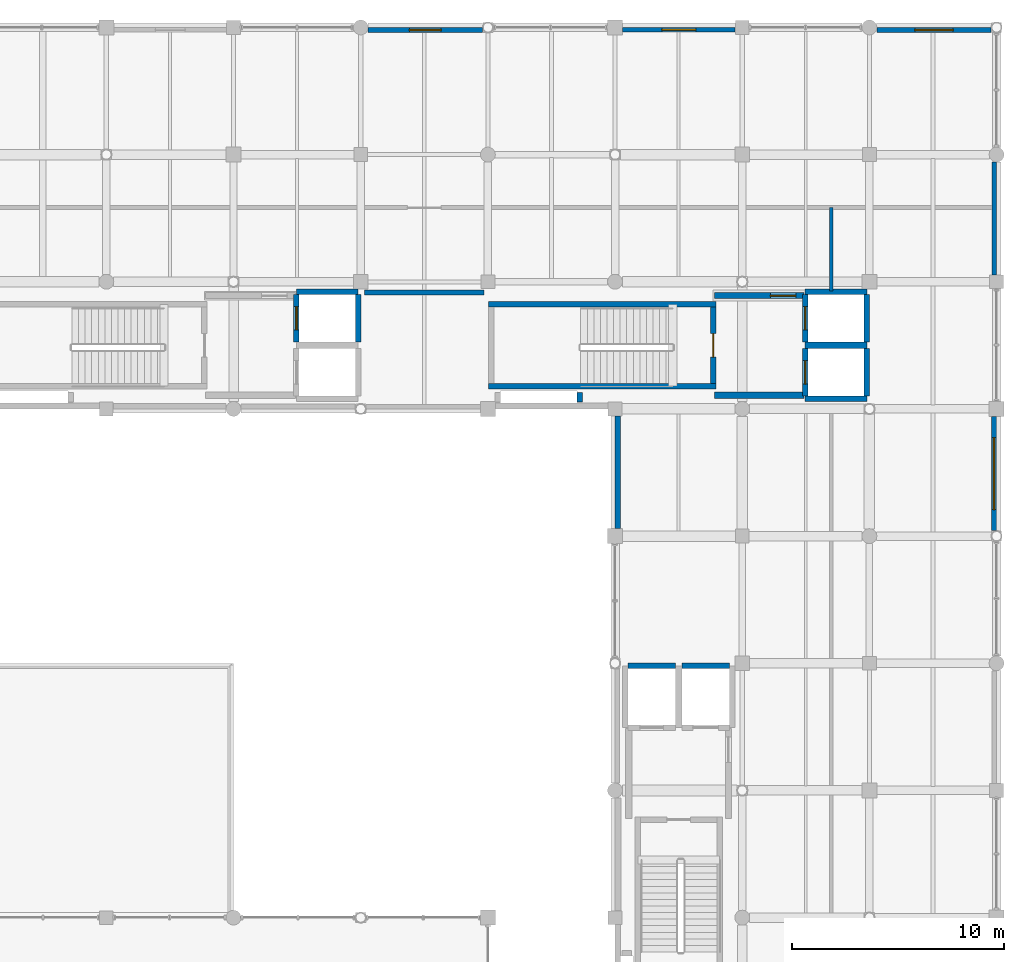
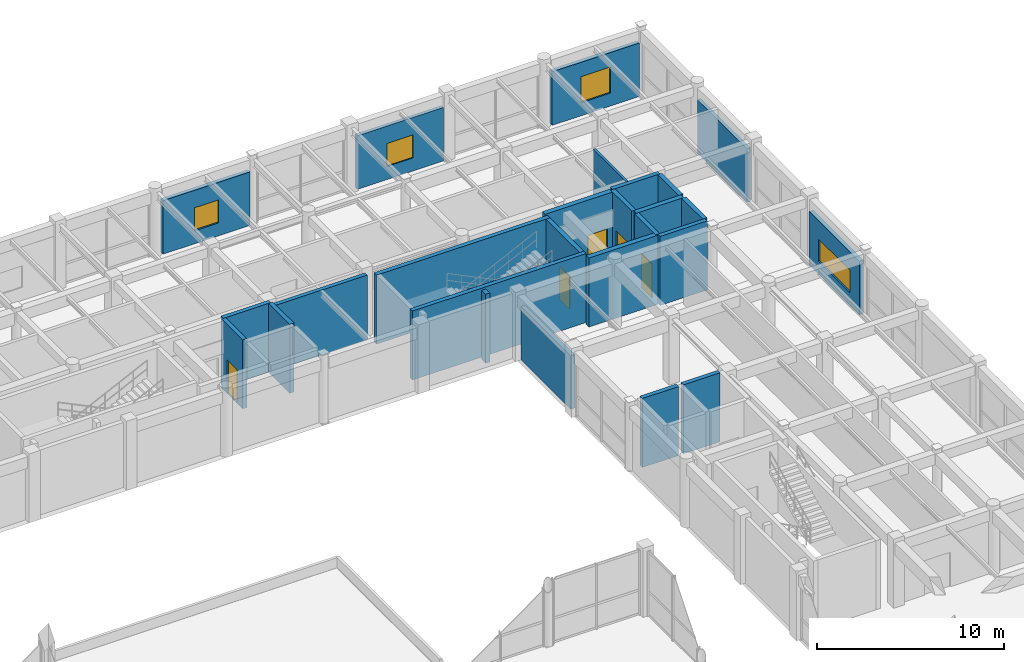
# One storey, part 96 of 116: 26 walls, 5 doors, 4 windows, 9 openings.
"""IFC4 building model written with IfcOpenShell, lengths in metres."""

import ifcopenshell
import ifcopenshell.guid

model = None  # the IFC model being written
_history = None  # IfcOwnerHistory: only IFC2X3 demands one
_inside = {}  # id of a spatial element -> (the spatial element, [elements in it])
_under = {}  # id of a project, library or spatial element -> (it, [spatial elements below it])
_declared = {}  # id of a project -> (the project, [libraries it declares])
_typed = {}  # id of a type object -> (the type object, [elements of that type])
_made_of = {}  # id of a material, layer set ... -> (it, [elements and type objects made of it])


def new_model(schema):
    """Start an empty IFC model of exactly this schema.

    Asked for "IFC4X3", IfcOpenShell would pick the latest addendum, in which some entities
    have other attributes; the version numbers below select the first issue.
    IFC2X3 requires an IfcOwnerHistory on every rooted entity: one is made here for all.
    """
    global model, _history
    if schema == "IFC4X3":
        model = ifcopenshell.file(schema_version=(4, 3, 0, 0))
    else:
        model = ifcopenshell.file(schema=schema)
    _inside.clear()
    _under.clear()
    _declared.clear()
    _typed.clear()
    _made_of.clear()
    _history = None
    if model.schema == "IFC2X3":
        org = make("IfcOrganization", Name="unknown")
        user = make(
            "IfcPersonAndOrganization",
            ThePerson=make("IfcPerson", FamilyName="unknown"),
            TheOrganization=org,
        )
        app = make(
            "IfcApplication",
            ApplicationDeveloper=org,
            Version="unknown",
            ApplicationFullName="unknown",
            ApplicationIdentifier="unknown",
        )
        _history = make(
            "IfcOwnerHistory",
            OwningUser=user,
            OwningApplication=app,
            ChangeAction="ADDED",
            CreationDate=0,
        )
    return model


def make(cls, **values):
    """One entity of the class cls with the attributes given. An attribute that is None is left unset."""
    return model.create_entity(
        cls, **{name: value for name, value in values.items() if value is not None}
    )


def rooted(cls, **values):
    """An entity with a GlobalId (a new one), such as an element, a storey or a relation."""
    return make(cls, GlobalId=ifcopenshell.guid.new(), OwnerHistory=_history, **values)


def si_unit(unit_type, name, prefix=None):
    """IfcSIUnit, for example si_unit("LENGTHUNIT", "METRE", prefix="MILLI")."""
    return make("IfcSIUnit", UnitType=unit_type, Prefix=prefix, Name=name)


def assignment(units):
    """IfcUnitAssignment: the units of a project."""
    return None if units is None else make("IfcUnitAssignment", Units=units)


def point(xyz):
    """IfcCartesianPoint."""
    return None if xyz is None else make("IfcCartesianPoint", Coordinates=xyz)


def direction(xyz):
    """IfcDirection."""
    return None if xyz is None else make("IfcDirection", DirectionRatios=xyz)


def frame(location, z_axis=None, x_axis=None):
    """IfcAxis2Placement3D, a coordinate frame: its origin and axes. An axis left out is left unset."""
    return make(
        "IfcAxis2Placement3D",
        Location=point(location),
        Axis=direction(z_axis),
        RefDirection=direction(x_axis),
    )


def frame_2d(location, x_axis=None):
    """IfcAxis2Placement2D, a coordinate frame in the plane: its origin and x axis."""
    return make(
        "IfcAxis2Placement2D", Location=point(location), RefDirection=direction(x_axis)
    )


def origin():
    """The frame at (0, 0, 0) with its axes left unset."""
    return frame((0.0, 0.0, 0.0))


def place(relative_to, where):
    """IfcLocalPlacement: puts the frame where relative to a parent placement (None: the world)."""
    return make(
        "IfcLocalPlacement", PlacementRelTo=relative_to, RelativePlacement=where
    )


def context(
    kind, dimensions, precision=None, world=None, true_north=None, identifier=None
):
    """IfcGeometricRepresentationContext, for example the 3D "Model" context."""
    return make(
        "IfcGeometricRepresentationContext",
        ContextIdentifier=identifier,
        ContextType=kind,
        CoordinateSpaceDimension=dimensions,
        Precision=precision,
        WorldCoordinateSystem=world,
        TrueNorth=true_north,
    )


def subcontext(parent, identifier, kind, view, scale=None):
    """IfcGeometricRepresentationSubContext, for example "Body" below "Model"."""
    return make(
        "IfcGeometricRepresentationSubContext",
        ContextIdentifier=identifier,
        ContextType=kind,
        ParentContext=parent,
        TargetScale=scale,
        TargetView=view,
    )


def project(units=None, contexts=None):
    """IfcProject with its units and contexts."""
    return rooted(
        "IfcProject",
        Name="project",
        RepresentationContexts=contexts,
        UnitsInContext=assignment(units),
    )


def spatial(cls, under=None, at=None, **own):
    """A site, building, storey or space (cls), placed at a placement, below another one or the project."""
    s = rooted(cls, ObjectPlacement=at, **own)
    if under is not None:
        _under.setdefault(under.id(), (under, []))[1].append(s)
    return s


def profile(cls, at=None, kind="AREA", **sizes):
    """A parametric profile (cls). Its sizes go by their IFC names, for example OverallWidth=200.0."""
    return make(cls, ProfileType=kind, Position=at, **sizes)


def rectangle(**sizes):
    """IfcRectangleProfileDef."""
    return profile("IfcRectangleProfileDef", **sizes)


def extrude(swept, where, along, depth):
    """IfcExtrudedAreaSolid: the profile swept, set in the frame where, extruded along a direction by depth."""
    return make(
        "IfcExtrudedAreaSolid",
        SweptArea=swept,
        Position=where,
        ExtrudedDirection=direction(along),
        Depth=depth,
    )


def shape(context_of_items, identifier, shape_type, items):
    """IfcShapeRepresentation: the items that make up one representation, for example the "Body"."""
    return make(
        "IfcShapeRepresentation",
        ContextOfItems=context_of_items,
        RepresentationIdentifier=identifier,
        RepresentationType=shape_type,
        Items=items,
    )


def material(Name=None, Category=None):
    """IfcMaterial."""
    return make("IfcMaterial", Name=Name, Category=Category)


def layer(
    of_material, thickness, ventilated=None, Name=None, Category=None, Priority=None
):
    """IfcMaterialLayer: one layer of a wall or slab, of a material (None: an air gap)."""
    return make(
        "IfcMaterialLayer",
        Material=of_material,
        LayerThickness=thickness,
        IsVentilated=ventilated,
        Name=Name,
        Category=Category,
        Priority=Priority,
    )


def layer_set(layers, Name=None):
    """IfcMaterialLayerSet."""
    return make("IfcMaterialLayerSet", MaterialLayers=layers, LayerSetName=Name)


def made_of(thing, what):
    """Note that an element or type object is made of a material, layer set ...; save() writes the relation."""
    if what is not None:
        _made_of.setdefault(what.id(), (what, []))[1].append(thing)
    return thing


def type_object(cls, material=None, **own):
    """A type object (cls), such as IfcWallType, which elements share."""
    return made_of(rooted(cls, **own), material)


def element(
    cls,
    number,
    at=None,
    inside=None,
    cuts=None,
    type_object=None,
    material=None,
    context=None,
    identifier="Body",
    shape_type=None,
    held_by="IfcProductDefinitionShape",
    body=None,
    shapes=None,
    **own,
):
    """One element of the class cls, such as IfcWall. Its Tag is "e" and its number.

    at: its placement. inside: the storey or other place that contains it. cuts: it is an
    opening in that element (IfcRelVoidsElement). A single representation is given by context,
    identifier, shape_type and body (its items); several are given by shapes. held_by: the class
    of the entity that holds the representations. save() writes the other relations.
    """
    e = rooted(cls, Tag="e%d" % number, ObjectPlacement=at, **own)
    if body is not None:
        shapes = [shape(context, identifier, shape_type, body)]
    if shapes is not None:
        e.Representation = make(held_by, Representations=shapes)
    if inside is not None:
        _inside.setdefault(inside.id(), (inside, []))[1].append(e)
    if cuts is not None:
        rooted(
            "IfcRelVoidsElement", RelatingBuildingElement=cuts, RelatedOpeningElement=e
        )
    if type_object is not None:
        _typed.setdefault(type_object.id(), (type_object, []))[1].append(e)
    return made_of(e, material)


def fill(opening, filler):
    """IfcRelFillsElement: the door or window that sits in an opening."""
    return rooted(
        "IfcRelFillsElement",
        RelatingOpeningElement=opening,
        RelatedBuildingElement=filler,
    )


def aggregate(whole, parts):
    """IfcRelAggregates: a whole, such as a stair, and the parts it consists of."""
    return rooted("IfcRelAggregates", RelatingObject=whole, RelatedObjects=parts)


def save(model, path):
    """Write the relations noted so far, then the file.

    IfcRelAggregates (storeys below a building ...), IfcRelContainedInSpatialStructure (elements
    in a storey), IfcRelDefinesByType, IfcRelAssociatesMaterial and IfcRelDeclares: one each for
    every whole, place, type object, material and project.
    """
    for whole, parts in _under.values():
        aggregate(whole, parts)
    for where, things in _inside.values():
        rooted(
            "IfcRelContainedInSpatialStructure",
            RelatedElements=things,
            RelatingStructure=where,
        )
    for kind, things in _typed.values():
        rooted("IfcRelDefinesByType", RelatedObjects=things, RelatingType=kind)
    for what, things in _made_of.values():
        rooted("IfcRelAssociatesMaterial", RelatedObjects=things, RelatingMaterial=what)
    for by, libraries in _declared.values():
        rooted("IfcRelDeclares", RelatingContext=by, RelatedDefinitions=libraries)
    model.write(path)


model = new_model("IFC4")

# Units and contexts
model_context = context("Model", 3, precision=1e-05, world=origin(), true_north=direction((0.0, 1.0)))
body_context = subcontext(model_context, "Body", "Model", "MODEL_VIEW")
ifc_project = project(units=[si_unit("LENGTHUNIT", "METRE"), si_unit("AREAUNIT", "SQUARE_METRE"), si_unit("VOLUMEUNIT", "CUBIC_METRE"), si_unit("PLANEANGLEUNIT", "RADIAN"), si_unit("MASSUNIT", "GRAM", prefix="KILO"), si_unit("THERMODYNAMICTEMPERATUREUNIT", "KELVIN"), si_unit("POWERUNIT", "WATT")], contexts=[model_context])

# Site, building, storey
site_placement = place(None, origin())
site = spatial("IfcSite", under=ifc_project, at=site_placement, CompositionType="ELEMENT")
building_placement = place(site_placement, origin())
building = spatial("IfcBuilding", under=site, at=building_placement, Name="Phaisarnlok Congress Hotel", CompositionType="ELEMENT")
storey_placement = place(building_placement, frame((0.0, 0.0, 10.5)))
storey = spatial("IfcBuildingStorey", under=building, at=storey_placement, Name="L02", CompositionType="ELEMENT", Elevation=10.5)

# Wall
ifc_material_1 = material(Name="Concrete C40/50", Category="concrete")
ifc_layer_1 = layer(ifc_material_1, 0.2099609375, Name="Concrete C40/50")
ifc_layer_set_1 = layer_set([ifc_layer_1], Name="Concrete C40/50")
wall_type_1 = type_object("IfcWallType", Name="WL-EXT-210", PredefinedType="SOLIDWALL", material=ifc_layer_set_1)
wall_1_placement = place(storey_placement, frame((179.89501953125, 114.330078125, 0.0), z_axis=(0.0, 0.0, 1.0), x_axis=(0.0, 1.0, 0.0)))
element("IfcWall", 1, at=wall_1_placement, inside=storey, type_object=wall_type_1, Name="Exterior wall EW-07 (L02)", PredefinedType="SOLIDWALL", context=body_context, shape_type="SweptSolid", body=[
    extrude(rectangle(XDim=5.31494140625, YDim=0.2099609375, at=frame_2d((2.657470703125, 0.0))), origin(), (0.0, 0.0, 1.0), 3.489990234375),
])

# Wall, opening, window
wall_2_placement = place(storey_placement, frame((167.669921875, 125.89501953125, 0.0), z_axis=(0.0, 0.0, 1.0), x_axis=(-1.0, 0.0, 0.0)))
wall_2 = element("IfcWall", 2, at=wall_2_placement, inside=storey, type_object=wall_type_1, Name="Exterior wall EW-07 (L02)", PredefinedType="SOLIDWALL", context=body_context, shape_type="SweptSolid", body=[
    extrude(rectangle(XDim=5.31494140625, YDim=0.2099609375, at=frame_2d((2.657470703125, 0.0))), origin(), (0.0, 0.0, 1.0), 3.489990234375),
])
opening_1_placement = place(wall_2_placement, frame((1.85693359375, 0.0, 0.85009765625)))
opening_1 = element("IfcOpeningElement", 3, at=opening_1_placement, cuts=wall_2, Name="Opening W-11", PredefinedType="OPENING", context=body_context, shape_type="SweptSolid", body=[
    extrude(rectangle(XDim=1.60009765625, YDim=1.5, at=frame_2d((0.800048828125, 0.75))), frame((0.0, 0.114990234375, 0.0), z_axis=(0.0, -1.0, 0.0), x_axis=(1.0, 0.0, 0.0)), (0.0, 0.0, 1.0), 0.22998046875),
])
ifc_material_2 = material(Name="Thermally Broken Aluminium & Low-E Double Glazing", Category="aluminium")
window_type_1 = type_object("IfcWindowType", Name="WIN-POD-1600", PartitioningType="SINGLE_PANEL", PredefinedType="WINDOW", material=ifc_material_2)
window_1_placement = place(opening_1_placement, origin())
window_1 = element("IfcWindow", 4, at=window_1_placement, inside=storey, type_object=window_type_1, Name="Podium window W-11 (L02)", OverallHeight=1.5, OverallWidth=1.60009765625, PartitioningType="SINGLE_PANEL", PredefinedType="WINDOW", context=body_context, shape_type="SweptSolid", body=[
    extrude(rectangle(XDim=1.60009765625, YDim=1.5, at=frame_2d((0.800048828125, 0.75))), frame((0.0, 0.030029296875, 0.0), z_axis=(0.0, -1.0, 0.0), x_axis=(1.0, 0.0, 0.0)), (0.0, 0.0, 1.0), 0.06005859375),
])
fill(opening_1, window_1)

# Wall
ifc_layer_2 = layer(ifc_material_1, 0.25, Name="Concrete C40/50")
ifc_layer_set_2 = layer_set([ifc_layer_2], Name="Concrete C40/50")
wall_type_2 = type_object("IfcWallType", Name="WL-EXT-250", PredefinedType="SOLIDWALL", material=ifc_layer_set_2)
wall_3_placement = place(storey_placement, frame((162.125, 107.669921875, 0.0), z_axis=(0.0, 0.0, 1.0), x_axis=(0.0, -1.0, 0.0)))
element("IfcWall", 5, at=wall_3_placement, inside=storey, type_object=wall_type_2, Name="Exterior wall EW-05 (L02)", PredefinedType="SOLIDWALL", context=body_context, shape_type="SweptSolid", body=[
    extrude(rectangle(XDim=5.31494140625, YDim=0.25, at=frame_2d((2.657470703125, 0.0))), origin(), (0.0, 0.0, 1.0), 3.489990234375),
])

# Wall, opening, window
wall_4_placement = place(storey_placement, frame((179.875, 102.259033203125, 0.0), z_axis=(0.0, 0.0, 1.0), x_axis=(0.0, 1.0, 0.0)))
wall_4 = element("IfcWall", 6, at=wall_4_placement, inside=storey, type_object=wall_type_2, Name="Exterior wall EW-05 (L02)", PredefinedType="SOLIDWALL", context=body_context, shape_type="SweptSolid", body=[
    extrude(rectangle(XDim=5.385986328125, YDim=0.25, at=frame_2d((2.69287109375, 0.0))), origin(), (0.0, 0.0, 1.0), 3.489990234375),
])
opening_2_placement = place(wall_4_placement, frame((0.992919921875, 0.0, 0.85009765625)))
opening_2 = element("IfcOpeningElement", 7, at=opening_2_placement, cuts=wall_4, Name="Opening W-18", PredefinedType="OPENING", context=body_context, shape_type="SweptSolid", body=[
    extrude(rectangle(XDim=3.39990234375, YDim=1.449951171875, at=frame_2d((1.699951171875, 0.72509765625))), frame((0.0, 0.135009765625, 0.0), z_axis=(0.0, -1.0, 0.0), x_axis=(1.0, 0.0, 0.0)), (0.0, 0.0, 1.0), 0.27001953125),
])
window_type_2 = type_object("IfcWindowType", Name="WIN-RIB-3400", PartitioningType="SINGLE_PANEL", PredefinedType="WINDOW", material=ifc_material_2)
window_2_placement = place(opening_2_placement, origin())
window_2 = element("IfcWindow", 8, at=window_2_placement, inside=storey, type_object=window_type_2, Name="Podium window W-18 (L02)", OverallHeight=1.449951171875, OverallWidth=3.39990234375, PartitioningType="SINGLE_PANEL", PredefinedType="WINDOW", context=body_context, shape_type="SweptSolid", body=[
    extrude(rectangle(XDim=3.39990234375, YDim=1.449951171875, at=frame_2d((1.699951171875, 0.72509765625))), frame((0.0, 0.030029296875, 0.0), z_axis=(0.0, -1.0, 0.0), x_axis=(1.0, 0.0, 0.0)), (0.0, 0.0, 1.0), 0.06005859375),
])
fill(opening_2, window_2)

wall_5_placement = place(storey_placement, frame((179.740966796875, 125.875, 0.0), z_axis=(0.0, 0.0, 1.0), x_axis=(-1.0, 0.0, 0.0)))
wall_5 = element("IfcWall", 9, at=wall_5_placement, inside=storey, type_object=wall_type_2, Name="Exterior wall EW-05 (L02)", PredefinedType="SOLIDWALL", context=body_context, shape_type="SweptSolid", body=[
    extrude(rectangle(XDim=5.385986328125, YDim=0.25, at=frame_2d((2.69287109375, 0.0))), origin(), (0.0, 0.0, 1.0), 3.489990234375),
])
opening_3_placement = place(wall_5_placement, frame((1.79296875, 0.0, 0.85009765625)))
opening_3 = element("IfcOpeningElement", 10, at=opening_3_placement, cuts=wall_5, Name="Opening W-10", PredefinedType="OPENING", context=body_context, shape_type="SweptSolid", body=[
    extrude(rectangle(XDim=1.800048828125, YDim=1.699951171875, at=frame_2d((0.89990234375, 0.85009765625))), frame((0.0, 0.135009765625, 0.0), z_axis=(0.0, -1.0, 0.0), x_axis=(1.0, 0.0, 0.0)), (0.0, 0.0, 1.0), 0.27001953125),
])
window_type_3 = type_object("IfcWindowType", Name="WIN-POD-1800", PartitioningType="SINGLE_PANEL", PredefinedType="WINDOW", material=ifc_material_2)
window_3_placement = place(opening_3_placement, origin())
window_3 = element("IfcWindow", 11, at=window_3_placement, inside=storey, type_object=window_type_3, Name="Podium window W-10 (L02)", OverallHeight=1.699951171875, OverallWidth=1.800048828125, PartitioningType="SINGLE_PANEL", PredefinedType="WINDOW", context=body_context, shape_type="SweptSolid", body=[
    extrude(rectangle(XDim=1.800048828125, YDim=1.699951171875, at=frame_2d((0.89990234375, 0.85009765625))), frame((0.0, 0.030029296875, 0.0), z_axis=(0.0, -1.0, 0.0), x_axis=(1.0, 0.0, 0.0)), (0.0, 0.0, 1.0), 0.06005859375),
])
fill(opening_3, window_3)

wall_6_placement = place(storey_placement, frame((155.740966796875, 125.875, 0.0), z_axis=(0.0, 0.0, 1.0), x_axis=(-1.0, 0.0, 0.0)))
wall_6 = element("IfcWall", 12, at=wall_6_placement, inside=storey, type_object=wall_type_2, Name="Exterior wall EW-05 (L02)", PredefinedType="SOLIDWALL", context=body_context, shape_type="SweptSolid", body=[
    extrude(rectangle(XDim=5.385986328125, YDim=0.25, at=frame_2d((2.69287109375, 0.0))), origin(), (0.0, 0.0, 1.0), 3.489990234375),
])
opening_4_placement = place(wall_6_placement, frame((1.943115234375, 0.0, 0.85009765625)))
opening_4 = element("IfcOpeningElement", 13, at=opening_4_placement, cuts=wall_6, Name="Opening W-12", PredefinedType="OPENING", context=body_context, shape_type="SweptSolid", body=[
    extrude(rectangle(XDim=1.5, YDim=1.5, at=frame_2d((0.75, 0.75))), frame((0.0, 0.135009765625, 0.0), z_axis=(0.0, -1.0, 0.0), x_axis=(1.0, 0.0, 0.0)), (0.0, 0.0, 1.0), 0.27001953125),
])
window_type_4 = type_object("IfcWindowType", Name="WIN-POD-1500", PartitioningType="SINGLE_PANEL", PredefinedType="WINDOW", material=ifc_material_2)
window_4_placement = place(opening_4_placement, origin())
window_4 = element("IfcWindow", 14, at=window_4_placement, inside=storey, type_object=window_type_4, Name="Podium window W-12 (L02)", OverallHeight=1.5, OverallWidth=1.5, PartitioningType="SINGLE_PANEL", PredefinedType="WINDOW", context=body_context, shape_type="SweptSolid", body=[
    extrude(rectangle(XDim=1.5, YDim=1.5, at=frame_2d((0.75, 0.75))), frame((0.0, 0.030029296875, 0.0), z_axis=(0.0, -1.0, 0.0), x_axis=(1.0, 0.0, 0.0)), (0.0, 0.0, 1.0), 0.06005859375),
])
fill(opening_4, window_4)

# Walls
ifc_material_3 = material(Name="Acoustic Gypsum Board & Mineral Wool", Category="gypsum")
ifc_layer_3 = layer(ifc_material_3, 0.14990234375, Name="Acoustic Gypsum Board & Mineral Wool")
ifc_layer_set_3 = layer_set([ifc_layer_3], Name="Acoustic Gypsum Board & Mineral Wool")
wall_type_3 = type_object("IfcWallType", Name="WL-INT-150", PredefinedType="PARTITIONING", material=ifc_layer_set_3)
wall_7_placement = place(storey_placement, frame((172.199951171875, 113.56005859375, 0.0), z_axis=(0.0, 0.0, 1.0), x_axis=(0.0, 1.0, 0.0)))
element("IfcWall", 15, at=wall_7_placement, inside=storey, type_object=wall_type_3, Name="Interior partition wall IW-05 (L02)", PredefinedType="PARTITIONING", context=body_context, shape_type="SweptSolid", body=[
    extrude(rectangle(XDim=3.93994140625, YDim=0.14990234375, at=frame_2d((1.969970703125, 0.0))), origin(), (0.0, 0.0, 1.0), 4.239990234375),
])
ifc_layer_4 = layer(ifc_material_1, 0.239990234375, Name="Concrete C40/50")
ifc_layer_set_4 = layer_set([ifc_layer_4], Name="Concrete C40/50")
wall_type_4 = type_object("IfcWallType", Name="WL-INT-240", PredefinedType="PARTITIONING", material=ifc_layer_set_4)
wall_8_placement = place(storey_placement, frame((150.179931640625, 113.5, 0.0), z_axis=(0.0, 0.0, 1.0), x_axis=(1.0, 0.0, 0.0)))
element("IfcWall", 16, at=wall_8_placement, inside=storey, type_object=wall_type_4, Name="Interior partition wall IW-01 (L02)", PredefinedType="PARTITIONING", context=body_context, shape_type="SweptSolid", body=[
    extrude(rectangle(XDim=5.64013671875, YDim=0.239990234375, at=frame_2d((2.820068359375, 0.0))), origin(), (0.0, 0.0, 1.0), 4.239990234375),
])
ifc_material_4 = material(Name="Concrete C50/60", Category="concrete")
ifc_layer_5 = layer(ifc_material_4, 0.260009765625, Name="Concrete C50/60")
ifc_layer_set_5 = layer_set([ifc_layer_5], Name="Concrete C50/60")
wall_type_5 = type_object("IfcWallType", Name="WL-SHR-260", PredefinedType="SHEAR", material=ifc_layer_set_5)
for number, where, z_axis, x_axis, name in (
    (17, (156.0400390625, 109.070068359375, 0.0), (0.0, 0.0, 1.0), (1.0, 0.0, 0.0), "Stair shaft shear wall SW-04 (CORE-1 L02)"),
    (18, (156.0400390625, 112.929931640625, 0.0), (0.0, 0.0, 1.0), (1.0, 0.0, 0.0), "Stair shaft shear wall SW-04 (CORE-1 L02)"),
):
    element("IfcWall", number, at=place(storey_placement, frame(where, z_axis=z_axis, x_axis=x_axis)), inside=storey, type_object=wall_type_5, Name=name, PredefinedType="SHEAR", context=body_context, shape_type="SweptSolid", body=[
        extrude(rectangle(XDim=10.719970703125, YDim=0.260009765625, at=frame_2d((5.35986328125, 0.0))), origin(), (0.0, 0.0, 1.0), 4.5),
    ])

# Wall, opening, door
wall_9_placement = place(storey_placement, frame((166.6298828125, 109.199951171875, 0.0), z_axis=(0.0, 0.0, 1.0), x_axis=(0.0, 1.0, 0.0)))
wall_9 = element("IfcWall", 19, at=wall_9_placement, inside=storey, type_object=wall_type_5, Name="Stair shaft shear wall SW-04 (CORE-1 L02)", PredefinedType="SHEAR", context=body_context, shape_type="SweptSolid", body=[
    extrude(rectangle(XDim=3.60009765625, YDim=0.260009765625, at=frame_2d((1.800048828125, 0.0))), origin(), (0.0, 0.0, 1.0), 4.5),
])
opening_5_placement = place(wall_9_placement, frame((1.25, 0.0, 0.0)))
opening_5 = element("IfcOpeningElement", 20, at=opening_5_placement, cuts=wall_9, Name="Opening FD-004", PredefinedType="OPENING", context=body_context, shape_type="SweptSolid", body=[
    extrude(rectangle(XDim=1.10009765625, YDim=2.14990234375, at=frame_2d((0.550048828125, 1.074951171875))), frame((0.0, 0.14013671875, 0.0), z_axis=(0.0, -1.0, 0.0), x_axis=(1.0, 0.0, 0.0)), (0.0, 0.0, 1.0), 0.280029296875),
])
ifc_material_5 = material(Name="Fire-Rated Steel Frame & Timber Leaf", Category="steel")
door_type_1 = type_object("IfcDoorType", Name="DR-FD60-1100", OperationType="NOTDEFINED", PredefinedType="DOOR", material=ifc_material_5)
door_1_placement = place(opening_5_placement, origin())
door_1 = element("IfcDoor", 21, at=door_1_placement, inside=storey, type_object=door_type_1, Name="Stair enclosure fire door FD-004 (L02)", OperationType="SINGLE_SWING_LEFT", OverallHeight=2.14990234375, OverallWidth=1.10009765625, PredefinedType="DOOR", context=body_context, shape_type="SweptSolid", body=[
    extrude(rectangle(XDim=1.10009765625, YDim=2.14990234375, at=frame_2d((0.550048828125, 1.074951171875))), frame((0.0, 0.02490234375, 0.0), z_axis=(0.0, -1.0, 0.0), x_axis=(1.0, 0.0, 0.0)), (0.0, 0.0, 1.0), 0.050048828125),
])
fill(opening_5, door_1)

# Walls
wall_10_placement = place(storey_placement, frame((170.969970703125, 108.469970703125, 0.0), z_axis=(0.0, 0.0, 1.0), x_axis=(1.0, 0.0, 0.0)))
element("IfcWall", 22, at=wall_10_placement, inside=storey, type_object=wall_type_5, Name="Lift shaft shear wall SW-04 (LF-FF1 L02)", PredefinedType="SHEAR", context=body_context, shape_type="SweptSolid", body=[
    extrude(rectangle(XDim=2.909912109375, YDim=0.260009765625, at=frame_2d((1.455078125, 0.0))), origin(), (0.0, 0.0, 1.0), 4.5),
])
wall_11_placement = place(storey_placement, frame((173.8798828125, 108.60009765625, 0.0), z_axis=(0.0, 0.0, 1.0), x_axis=(0.0, 1.0, 0.0)))
element("IfcWall", 23, at=wall_11_placement, inside=storey, type_object=wall_type_5, Name="Lift shaft shear wall SW-04 (LF-FF1 L02)", PredefinedType="SHEAR", context=body_context, shape_type="SweptSolid", body=[
    extrude(rectangle(XDim=2.25, YDim=0.260009765625, at=frame_2d((1.125, 0.0))), origin(), (0.0, 0.0, 1.0), 4.5),
])

# Wall, opening, door
wall_12_placement = place(storey_placement, frame((170.969970703125, 108.60009765625, 0.0), z_axis=(0.0, 0.0, 1.0), x_axis=(0.0, 1.0, 0.0)))
wall_12 = element("IfcWall", 24, at=wall_12_placement, inside=storey, type_object=wall_type_5, Name="Lift shaft front wall SW-04 (LF-FF1 L02)", PredefinedType="SHEAR", context=body_context, shape_type="SweptSolid", body=[
    extrude(rectangle(XDim=2.25, YDim=0.260009765625, at=frame_2d((1.125, 0.0))), origin(), (0.0, 0.0, 1.0), 4.5),
])
opening_6_placement = place(wall_12_placement, frame((0.574951171875, 0.0, 0.0)))
opening_6 = element("IfcOpeningElement", 25, at=opening_6_placement, cuts=wall_12, Name="Opening LD-004", PredefinedType="OPENING", context=body_context, shape_type="SweptSolid", body=[
    extrude(rectangle(XDim=1.10009765625, YDim=2.199951171875, at=frame_2d((0.550048828125, 1.10009765625))), frame((0.0, 0.14013671875, 0.0), z_axis=(0.0, -1.0, 0.0), x_axis=(1.0, 0.0, 0.0)), (0.0, 0.0, 1.0), 0.280029296875),
])
ifc_material_6 = material(Name="Brushed Stainless Steel Grade 304", Category="steel")
door_type_2 = type_object("IfcDoorType", Name="DR-LD-1100", OperationType="DOUBLE_DOOR_SLIDING", PredefinedType="DOOR", material=ifc_material_6)
door_2_placement = place(opening_6_placement, origin())
door_2 = element("IfcDoor", 26, at=door_2_placement, inside=storey, type_object=door_type_2, Name="Lift landing sliding door LD-004 (LF-FF1 L02)", OperationType="DOUBLE_DOOR_SLIDING", OverallHeight=2.199951171875, OverallWidth=1.10009765625, PredefinedType="DOOR", context=body_context, shape_type="SweptSolid", body=[
    extrude(rectangle(XDim=1.10009765625, YDim=2.199951171875, at=frame_2d((0.550048828125, 1.10009765625))), frame((0.0, 0.02490234375, 0.0), z_axis=(0.0, -1.0, 0.0), x_axis=(1.0, 0.0, 0.0)), (0.0, 0.0, 1.0), 0.050048828125),
])
fill(opening_6, door_2)

# Walls
wall_13_placement = place(storey_placement, frame((170.969970703125, 113.530029296875, 0.0), z_axis=(0.0, 0.0, 1.0), x_axis=(1.0, 0.0, 0.0)))
element("IfcWall", 27, at=wall_13_placement, inside=storey, type_object=wall_type_5, Name="Lift shaft shear wall SW-04 (LF-HP1 L02)", PredefinedType="SHEAR", context=body_context, shape_type="SweptSolid", body=[
    extrude(rectangle(XDim=2.909912109375, YDim=0.260009765625, at=frame_2d((1.455078125, 0.0))), origin(), (0.0, 0.0, 1.0), 4.5),
])
wall_14_placement = place(storey_placement, frame((173.8798828125, 111.14990234375, 0.0), z_axis=(0.0, 0.0, 1.0), x_axis=(0.0, 1.0, 0.0)))
element("IfcWall", 28, at=wall_14_placement, inside=storey, type_object=wall_type_5, Name="Lift shaft shear wall SW-04 (LF-HP1 L02)", PredefinedType="SHEAR", context=body_context, shape_type="SweptSolid", body=[
    extrude(rectangle(XDim=2.25, YDim=0.260009765625, at=frame_2d((1.125, 0.0))), origin(), (0.0, 0.0, 1.0), 4.5),
])

# Wall, opening, door
wall_15_placement = place(storey_placement, frame((170.969970703125, 111.14990234375, 0.0), z_axis=(0.0, 0.0, 1.0), x_axis=(0.0, 1.0, 0.0)))
wall_15 = element("IfcWall", 29, at=wall_15_placement, inside=storey, type_object=wall_type_5, Name="Lift shaft front wall SW-04 (LF-HP1 L02)", PredefinedType="SHEAR", context=body_context, shape_type="SweptSolid", body=[
    extrude(rectangle(XDim=2.25, YDim=0.260009765625, at=frame_2d((1.125, 0.0))), origin(), (0.0, 0.0, 1.0), 4.5),
])
opening_7_placement = place(wall_15_placement, frame((0.574951171875, 0.0, 0.0)))
opening_7 = element("IfcOpeningElement", 30, at=opening_7_placement, cuts=wall_15, Name="Opening LD-019", PredefinedType="OPENING", context=body_context, shape_type="SweptSolid", body=[
    extrude(rectangle(XDim=1.10009765625, YDim=2.199951171875, at=frame_2d((0.550048828125, 1.10009765625))), frame((0.0, 0.14013671875, 0.0), z_axis=(0.0, -1.0, 0.0), x_axis=(1.0, 0.0, 0.0)), (0.0, 0.0, 1.0), 0.280029296875),
])
door_3_placement = place(opening_7_placement, origin())
door_3 = element("IfcDoor", 31, at=door_3_placement, inside=storey, type_object=door_type_2, Name="Lift landing sliding door LD-019 (LF-HP1 L02)", OperationType="DOUBLE_DOOR_SLIDING", OverallHeight=2.199951171875, OverallWidth=1.10009765625, PredefinedType="DOOR", context=body_context, shape_type="SweptSolid", body=[
    extrude(rectangle(XDim=1.10009765625, YDim=2.199951171875, at=frame_2d((0.550048828125, 1.10009765625))), frame((0.0, 0.02490234375, 0.0), z_axis=(0.0, -1.0, 0.0), x_axis=(1.0, 0.0, 0.0)), (0.0, 0.0, 1.0), 0.050048828125),
])
fill(opening_7, door_3)

# Walls
wall_16_placement = place(storey_placement, frame((160.330078125, 108.330078125, 0.0), z_axis=(0.0, 0.0, 1.0), x_axis=(0.0, 1.0, 0.0)))
element("IfcWall", 32, at=wall_16_placement, inside=storey, type_object=wall_type_5, Name="Service riser shaft wall SW-04 (CORE-1 L02)", PredefinedType="SHEAR", context=body_context, shape_type="SweptSolid", body=[
    extrude(rectangle(XDim=0.43994140625, YDim=0.260009765625, at=frame_2d((0.219970703125, 0.0))), origin(), (0.0, 0.0, 1.0), 4.5),
])
wall_17_placement = place(storey_placement, frame((146.969970703125, 113.530029296875, 0.0), z_axis=(0.0, 0.0, 1.0), x_axis=(1.0, 0.0, 0.0)))
element("IfcWall", 33, at=wall_17_placement, inside=storey, type_object=wall_type_5, Name="Lift shaft shear wall SW-04 (LF-HP2 L02)", PredefinedType="SHEAR", context=body_context, shape_type="SweptSolid", body=[
    extrude(rectangle(XDim=2.909912109375, YDim=0.260009765625, at=frame_2d((1.455078125, 0.0))), origin(), (0.0, 0.0, 1.0), 4.5),
])
wall_18_placement = place(storey_placement, frame((149.8798828125, 111.14990234375, 0.0), z_axis=(0.0, 0.0, 1.0), x_axis=(0.0, 1.0, 0.0)))
element("IfcWall", 34, at=wall_18_placement, inside=storey, type_object=wall_type_5, Name="Lift shaft shear wall SW-04 (LF-HP2 L02)", PredefinedType="SHEAR", context=body_context, shape_type="SweptSolid", body=[
    extrude(rectangle(XDim=2.25, YDim=0.260009765625, at=frame_2d((1.125, 0.0))), origin(), (0.0, 0.0, 1.0), 4.5),
])

# Wall, opening, door
wall_19_placement = place(storey_placement, frame((146.969970703125, 111.14990234375, 0.0), z_axis=(0.0, 0.0, 1.0), x_axis=(0.0, 1.0, 0.0)))
wall_19 = element("IfcWall", 35, at=wall_19_placement, inside=storey, type_object=wall_type_5, Name="Lift shaft front wall SW-04 (LF-HP2 L02)", PredefinedType="SHEAR", context=body_context, shape_type="SweptSolid", body=[
    extrude(rectangle(XDim=2.25, YDim=0.260009765625, at=frame_2d((1.125, 0.0))), origin(), (0.0, 0.0, 1.0), 4.5),
])
opening_8_placement = place(wall_19_placement, frame((0.574951171875, 0.0, 0.0)))
opening_8 = element("IfcOpeningElement", 36, at=opening_8_placement, cuts=wall_19, Name="Opening LD-049", PredefinedType="OPENING", context=body_context, shape_type="SweptSolid", body=[
    extrude(rectangle(XDim=1.10009765625, YDim=2.199951171875, at=frame_2d((0.550048828125, 1.10009765625))), frame((0.0, 0.14013671875, 0.0), z_axis=(0.0, -1.0, 0.0), x_axis=(1.0, 0.0, 0.0)), (0.0, 0.0, 1.0), 0.280029296875),
])
door_4_placement = place(opening_8_placement, origin())
door_4 = element("IfcDoor", 37, at=door_4_placement, inside=storey, type_object=door_type_2, Name="Lift landing sliding door LD-049 (LF-HP2 L02)", OperationType="DOUBLE_DOOR_SLIDING", OverallHeight=2.199951171875, OverallWidth=1.10009765625, PredefinedType="DOOR", context=body_context, shape_type="SweptSolid", body=[
    extrude(rectangle(XDim=1.10009765625, YDim=2.199951171875, at=frame_2d((0.550048828125, 1.10009765625))), frame((0.0, 0.02490234375, 0.0), z_axis=(0.0, -1.0, 0.0), x_axis=(1.0, 0.0, 0.0)), (0.0, 0.0, 1.0), 0.050048828125),
])
fill(opening_8, door_4)

# Walls
for number, where, z_axis, x_axis, name in (
    (38, (162.60009765625, 95.8798828125, 0.0), (0.0, 0.0, 1.0), (1.0, 0.0, 0.0), "Lift shaft shear wall SW-04 (LF-HP3 L02)"),
    (39, (165.14990234375, 95.8798828125, 0.0), (0.0, 0.0, 1.0), (1.0, 0.0, 0.0), "Lift shaft shear wall SW-04 (LF-SV1 L02)"),
):
    element("IfcWall", number, at=place(storey_placement, frame(where, z_axis=z_axis, x_axis=x_axis)), inside=storey, type_object=wall_type_5, Name=name, PredefinedType="SHEAR", context=body_context, shape_type="SweptSolid", body=[
        extrude(rectangle(XDim=2.25, YDim=0.260009765625, at=frame_2d((1.125, 0.0))), origin(), (0.0, 0.0, 1.0), 4.5),
    ])
ifc_layer_6 = layer(ifc_material_4, 0.300048828125, Name="Concrete C50/60")
ifc_layer_set_6 = layer_set([ifc_layer_6], Name="Concrete C50/60")
wall_type_6 = type_object("IfcWallType", Name="WL-SHR-300", PredefinedType="SHEAR", material=ifc_layer_set_6)
wall_20_placement = place(storey_placement, frame((170.969970703125, 111.0, 0.0), z_axis=(0.0, 0.0, 1.0), x_axis=(1.0, 0.0, 0.0)))
element("IfcWall", 40, at=wall_20_placement, inside=storey, type_object=wall_type_6, Name="Lift shaft divider shear wall SW-03 (LF-FF1 L02)", PredefinedType="SHEAR", context=body_context, shape_type="SweptSolid", body=[
    extrude(rectangle(XDim=2.909912109375, YDim=0.300048828125, at=frame_2d((1.455078125, 0.0))), origin(), (0.0, 0.0, 1.0), 4.5),
])

# Wall, opening, door
wall_21_placement = place(storey_placement, frame((166.679931640625, 113.35009765625, 0.0), z_axis=(0.0, 0.0, 1.0), x_axis=(1.0, 0.0, 0.0)))
wall_21 = element("IfcWall", 41, at=wall_21_placement, inside=storey, type_object=wall_type_6, Name="Core lobby EI-120 wall SW-03 (CORE-1 L02)", PredefinedType="SHEAR", context=body_context, shape_type="SweptSolid", body=[
    extrude(rectangle(XDim=4.239990234375, YDim=0.300048828125, at=frame_2d((2.1201171875, 0.0))), origin(), (0.0, 0.0, 1.0), 4.5),
])
opening_9_placement = place(wall_21_placement, frame((2.64990234375, 0.0, 0.0)))
opening_9 = element("IfcOpeningElement", 42, at=opening_9_placement, cuts=wall_21, Name="Opening FD-019", PredefinedType="OPENING", context=body_context, shape_type="SweptSolid", body=[
    extrude(rectangle(XDim=1.199951171875, YDim=2.199951171875, at=frame_2d((0.60009765625, 1.10009765625))), frame((0.0, 0.16015625, 0.0), z_axis=(0.0, -1.0, 0.0), x_axis=(1.0, 0.0, 0.0)), (0.0, 0.0, 1.0), 0.320068359375),
])
door_type_3 = type_object("IfcDoorType", Name="DR-FD60-1200", OperationType="NOTDEFINED", PredefinedType="DOOR", material=ifc_material_5)
door_5_placement = place(opening_9_placement, origin())
door_5 = element("IfcDoor", 43, at=door_5_placement, inside=storey, type_object=door_type_3, Name="Firefighting lobby entrance door FD-019 (CORE-1 L02)", OperationType="SINGLE_SWING_RIGHT", OverallHeight=2.199951171875, OverallWidth=1.199951171875, PredefinedType="DOOR", context=body_context, shape_type="SweptSolid", body=[
    extrude(rectangle(XDim=1.199951171875, YDim=2.199951171875, at=frame_2d((0.60009765625, 1.10009765625))), frame((0.0, 0.02490234375, 0.0), z_axis=(0.0, -1.0, 0.0), x_axis=(1.0, 0.0, 0.0)), (0.0, 0.0, 1.0), 0.050048828125),
])
fill(opening_9, door_5)

# Wall
wall_22_placement = place(storey_placement, frame((166.679931640625, 108.64990234375, 0.0), z_axis=(0.0, 0.0, 1.0), x_axis=(1.0, 0.0, 0.0)))
element("IfcWall", 44, at=wall_22_placement, inside=storey, type_object=wall_type_6, Name="Core lobby EI-120 wall SW-03 (CORE-1 L02)", PredefinedType="SHEAR", context=body_context, shape_type="SweptSolid", body=[
    extrude(rectangle(XDim=4.239990234375, YDim=0.300048828125, at=frame_2d((2.1201171875, 0.0))), origin(), (0.0, 0.0, 1.0), 4.5),
])

save(model, "model.ifc")
